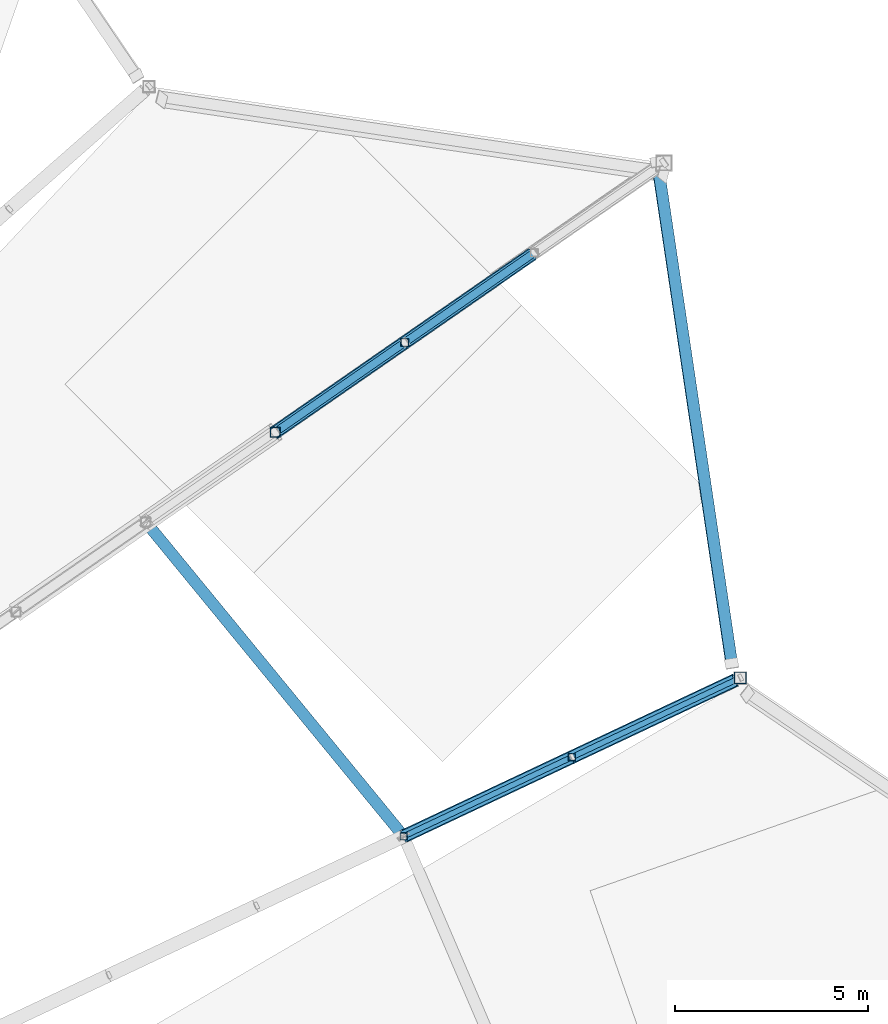
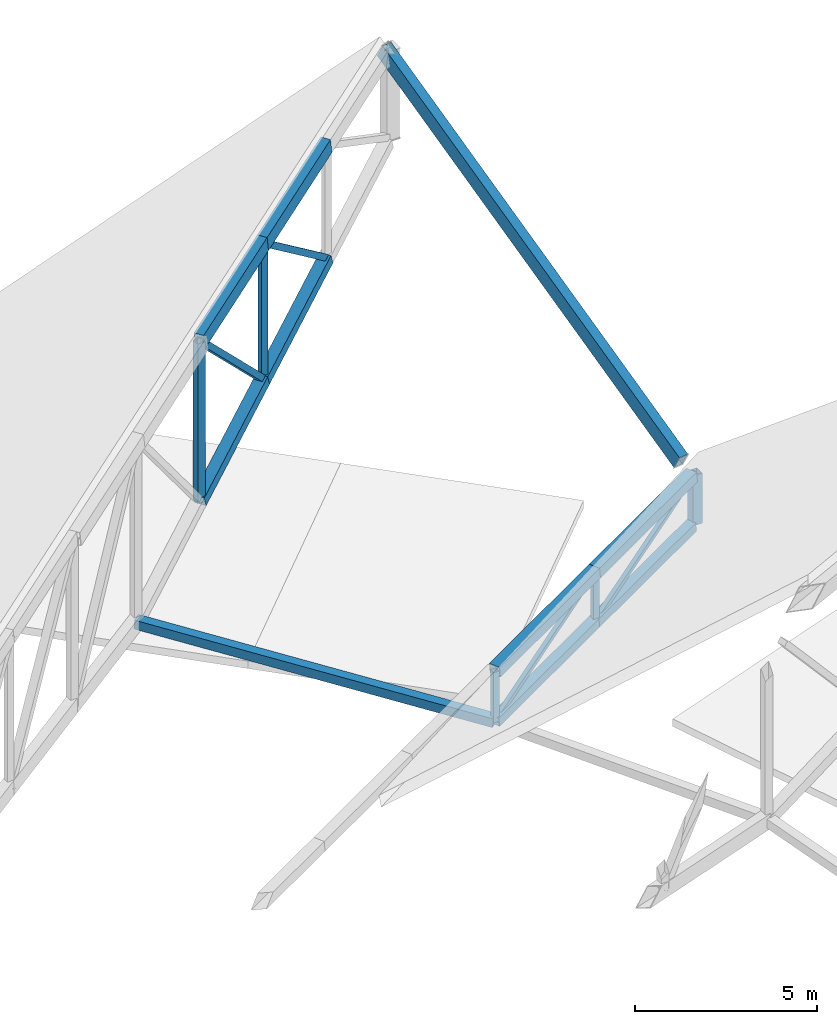
# One storey, part 102 of 188: 18 members, 1 beam.
"""IFC4 building model written with IfcOpenShell, lengths in metres."""

from ifc_helpers import new_model, si_unit, direction, frame, origin, origin_2d, place, context, subcontext, project, spatial, hollow_rectangle, extrude, material, material_profile, profile_set, type_object, element, save


model = new_model("IFC4")

# Units and contexts
model_context = context("Model", 3, precision=1e-05, world=origin(), true_north=direction((0.0, 1.0)))
body_context = subcontext(model_context, "Body", "Model", "MODEL_VIEW")
ifc_project = project(units=[si_unit("LENGTHUNIT", "METRE"), si_unit("AREAUNIT", "SQUARE_METRE"), si_unit("VOLUMEUNIT", "CUBIC_METRE"), si_unit("PLANEANGLEUNIT", "RADIAN"), si_unit("MASSUNIT", "GRAM", prefix="KILO")], contexts=[model_context])

# Site, building, storey
site_placement = place(None, origin())
site = spatial("IfcSite", under=ifc_project, at=site_placement, CompositionType="ELEMENT")
building_placement = place(site_placement, origin())
building = spatial("IfcBuilding", under=site, at=building_placement, Name="Meseta Stadium", CompositionType="ELEMENT")
storey_placement = place(building_placement, frame((0.0, 0.0, 30.0)))
storey = spatial("IfcBuildingStorey", under=building, at=storey_placement, Name="ROOF", CompositionType="ELEMENT", Elevation=30.0)

# Beam
ifc_material_1 = material(Name="Steel S355", Category="steel")
ifc_material_profile_1 = material_profile(ifc_material_1, hollow_rectangle(XDim=0.300048828125, YDim=0.5, WallThickness=0.01611328125, at=origin_2d()), Name="RHS 500x300x16")
ifc_profile_set_1 = profile_set([ifc_material_profile_1], Name="Steel S355")
beam_type = type_object("IfcBeamType", Name="RHS 500x300x16 rim ring beam", PredefinedType="BEAM", material=ifc_profile_set_1)
beam_placement = place(storey_placement, frame((86.927490234375, 76.234619140625, 3.794189453125), z_axis=(-0.131080910292, 0.882924273132, 0.450846451545), x_axis=(-0.986889033516, -0.159412006974, 0.02525564408)))
element("IfcBeam", 1, at=beam_placement, inside=storey, type_object=beam_type, Name="RIM RING BEAM 12", PredefinedType="BEAM", context=body_context, shape_type="SweptSolid", body=[
    extrude(hollow_rectangle(XDim=0.300048828125, YDim=0.5, WallThickness=0.01611328125, at=origin_2d()), origin(), (0.0, 0.0, 1.0), 14.6728515625),
])

# Members
ifc_material_2 = material(Name="Steel S355", Category="steel")
ifc_material_profile_2 = material_profile(ifc_material_2, hollow_rectangle(XDim=0.300048828125, YDim=0.5, WallThickness=0.01611328125, at=origin_2d()), Name="RHS 500x300x16")
ifc_profile_set_2 = profile_set([ifc_material_profile_2], Name="Steel S355")
member_type_1 = type_object("IfcMemberType", Name="RHS 500x300x16 top chord", PredefinedType="CHORD", material=ifc_profile_set_2)
member_1_placement = place(storey_placement, frame((75.125, 82.210205078125, 8.32421875), z_axis=(0.810009129028, 0.561279649393, 0.169853955118), x_axis=(-0.569555723759, 0.821952722201, 0.0)))
element("IfcMember", 2, at=member_1_placement, inside=storey, type_object=member_type_1, Name="ROOF TRUSS RT-12 top chord", PredefinedType="CHORD", context=body_context, shape_type="SweptSolid", body=[
    extrude(hollow_rectangle(XDim=0.300048828125, YDim=0.5, WallThickness=0.01611328125, at=origin_2d()), origin(), (0.0, 0.0, 1.0), 4.13525390625),
])
member_2_placement = place(storey_placement, frame((78.474609375, 84.53125, 9.026611328125), z_axis=(0.80998228756, 0.561320086743, 0.169848326626), x_axis=(-0.569596196645, 0.821924675848, 0.0)))
element("IfcMember", 3, at=member_2_placement, inside=storey, type_object=member_type_1, Name="ROOF TRUSS RT-12 top chord", PredefinedType="CHORD", context=body_context, shape_type="SweptSolid", body=[
    extrude(hollow_rectangle(XDim=0.300048828125, YDim=0.5, WallThickness=0.01611328125, at=origin_2d()), origin(), (0.0, 0.0, 1.0), 4.135498046875),
])
ifc_material_3 = material(Name="Steel S355", Category="steel")
ifc_material_profile_3 = material_profile(ifc_material_3, hollow_rectangle(XDim=0.139892578125, YDim=0.139892578125, WallThickness=0.0048828125, at=origin_2d()), Name="SHS 140x140x5")
ifc_profile_set_3 = profile_set([ifc_material_profile_3], Name="Steel S355")
member_type_2 = type_object("IfcMemberType", Name="SHS 140x140x5 diagonal", PredefinedType="BRACE", material=ifc_profile_set_3)
for number, where, z_axis, x_axis, name in (
    (4, (78.4453125, 71.756103515625, 0.785400390625), (0.820460556715, 0.386461818122, 0.421297683366), (-0.426124454382, 0.904664550747, 0.0), "ROOF TRUSS RT-11 diagonal"),
    (5, (82.798095703125, 73.806396484375, 1.3408203125), (0.820460556715, 0.386461818122, 0.421297683366), (-0.426124454382, 0.904664550747, 0.0), "ROOF TRUSS RT-11 diagonal"),
):
    element("IfcMember", number, at=place(storey_placement, frame(where, z_axis=z_axis, x_axis=x_axis)), inside=storey, type_object=member_type_2, Name=name, PredefinedType="BRACE", context=body_context, shape_type="SweptSolid", body=[
        extrude(hollow_rectangle(XDim=0.139892578125, YDim=0.139892578125, WallThickness=0.0048828125, at=origin_2d()), origin(), (0.0, 0.0, 1.0), 5.30517578125),
    ])
ifc_material_4 = material(Name="Steel S355", Category="steel")
ifc_material_profile_4 = material_profile(ifc_material_4, hollow_rectangle(XDim=0.179931640625, YDim=0.179931640625, WallThickness=0.00634765625, at=origin_2d()), Name="SHS 180x180x6.3")
ifc_profile_set_4 = profile_set([ifc_material_profile_4], Name="Steel S355")
member_type_3 = type_object("IfcMemberType", Name="SHS 180x180x6.3 post", PredefinedType="POST", material=ifc_profile_set_4)
for number, where, z_axis, x_axis, name in (
    (6, (78.4453125, 71.756103515625, 0.785400390625), (0.0, 0.0, 1.0), (1.0, 0.0, 0.0), "ROOF TRUSS RT-11 post"),
    (7, (82.798095703125, 73.806396484375, 1.3408203125), (0.0, 0.0, 1.0), (1.0, 0.0, 0.0), "ROOF TRUSS RT-11 post"),
):
    element("IfcMember", number, at=place(storey_placement, frame(where, z_axis=z_axis, x_axis=x_axis)), inside=storey, type_object=member_type_3, Name=name, PredefinedType="POST", context=body_context, shape_type="SweptSolid", body=[
        extrude(hollow_rectangle(XDim=0.179931640625, YDim=0.179931640625, WallThickness=0.00634765625, at=origin_2d()), origin(), (0.0, 0.0, 1.0), 1.6796875),
    ])
ifc_material_5 = material(Name="Steel S355", Category="steel")
ifc_material_profile_5 = material_profile(ifc_material_5, hollow_rectangle(XDim=0.199951171875, YDim=0.199951171875, WallThickness=0.008056640625, at=origin_2d()), Name="SHS 200x200x8")
ifc_profile_set_5 = profile_set([ifc_material_profile_5], Name="Steel S355")
member_type_4 = type_object("IfcMemberType", Name="SHS 200x200x8 diagonal", PredefinedType="BRACE", material=ifc_profile_set_5)
member_3_placement = place(storey_placement, frame((75.125, 82.210205078125, 8.32421875), z_axis=(0.596813618518, 0.413550078079, -0.687597147807), x_axis=(-0.569555723759, 0.821952722201, 0.0)))
element("IfcMember", 8, at=member_3_placement, inside=storey, type_object=member_type_4, Name="ROOF TRUSS RT-12 diagonal", PredefinedType="BRACE", context=body_context, shape_type="SweptSolid", body=[
    extrude(hollow_rectangle(XDim=0.199951171875, YDim=0.199951171875, WallThickness=0.008056640625, at=origin_2d()), origin(), (0.0, 0.0, 1.0), 5.612548828125),
])
member_4_placement = place(storey_placement, frame((78.474609375, 84.53125, 9.026611328125), z_axis=(0.655846017792, 0.454503202417, -0.602737787051), x_axis=(-0.569596196645, 0.821924675848, 0.0)))
element("IfcMember", 9, at=member_4_placement, inside=storey, type_object=member_type_4, Name="ROOF TRUSS RT-12 diagonal", PredefinedType="BRACE", context=body_context, shape_type="SweptSolid", body=[
    extrude(hollow_rectangle(XDim=0.199951171875, YDim=0.199951171875, WallThickness=0.008056640625, at=origin_2d()), origin(), (0.0, 0.0, 1.0), 5.107421875),
])
ifc_material_6 = material(Name="Steel S355", Category="steel")
ifc_material_profile_6 = material_profile(ifc_material_6, hollow_rectangle(XDim=0.199951171875, YDim=0.199951171875, WallThickness=0.008056640625, at=origin_2d()), Name="SHS 200x200x8")
ifc_profile_set_6 = profile_set([ifc_material_profile_6], Name="Steel S355")
member_type_5 = type_object("IfcMemberType", Name="SHS 200x200x8 post", PredefinedType="POST", material=ifc_profile_set_6)
member_5_placement = place(storey_placement, frame((78.474609375, 84.53125, 4.465087890625), z_axis=(0.0, 0.0, 1.0), x_axis=(1.0, 0.0, 0.0)))
element("IfcMember", 10, at=member_5_placement, inside=storey, type_object=member_type_5, Name="ROOF TRUSS RT-12 post", PredefinedType="POST", context=body_context, shape_type="SweptSolid", body=[
    extrude(hollow_rectangle(XDim=0.199951171875, YDim=0.199951171875, WallThickness=0.008056640625, at=origin_2d()), origin(), (0.0, 0.0, 1.0), 4.5615234375),
])
ifc_material_7 = material(Name="Steel S355", Category="steel")
ifc_material_profile_7 = material_profile(ifc_material_7, hollow_rectangle(XDim=0.25, YDim=0.25, WallThickness=0.010009765625, at=origin_2d()), Name="SHS 250x250x10")
ifc_profile_set_7 = profile_set([ifc_material_profile_7], Name="Steel S355")
member_type_6 = type_object("IfcMemberType", Name="SHS 250x250x10 post", PredefinedType="POST", material=ifc_profile_set_7)
member_6_placement = place(storey_placement, frame((75.125, 82.210205078125, 2.98193359375), z_axis=(0.0, 0.0, 1.0), x_axis=(1.0, 0.0, 0.0)))
element("IfcMember", 11, at=member_6_placement, inside=storey, type_object=member_type_6, Name="ROOF TRUSS RT-12 post", PredefinedType="POST", context=body_context, shape_type="SweptSolid", body=[
    extrude(hollow_rectangle(XDim=0.25, YDim=0.25, WallThickness=0.010009765625, at=origin_2d()), origin(), (0.0, 0.0, 1.0), 5.34228515625),
])
ifc_material_8 = material(Name="Steel S355", Category="steel")
ifc_material_profile_8 = material_profile(ifc_material_8, hollow_rectangle(XDim=0.300048828125, YDim=0.300048828125, WallThickness=0.010009765625, at=origin_2d()), Name="SHS 300x300x10")
ifc_profile_set_8 = profile_set([ifc_material_profile_8], Name="Steel S355")
member_type_7 = type_object("IfcMemberType", Name="SHS 300x300x10 bottom chord", PredefinedType="CHORD", material=ifc_profile_set_8)
member_7_placement = place(storey_placement, frame((78.4453125, 71.756103515625, 0.785400390625), z_axis=(0.898696569588, 0.423313354165, 0.114674670246), x_axis=(-0.426124454382, 0.904664550747, 0.0)))
element("IfcMember", 12, at=member_7_placement, inside=storey, type_object=member_type_7, Name="ROOF TRUSS RT-11 bottom chord", PredefinedType="CHORD", context=body_context, shape_type="SweptSolid", body=[
    extrude(hollow_rectangle(XDim=0.300048828125, YDim=0.300048828125, WallThickness=0.010009765625, at=origin_2d()), origin(), (0.0, 0.0, 1.0), 4.843505859375),
])
member_8_placement = place(storey_placement, frame((82.798095703125, 73.806396484375, 1.3408203125), z_axis=(0.89869405997, 0.423312627194, 0.114697019288), x_axis=(-0.426124829348, 0.904664374126, 0.0)))
element("IfcMember", 13, at=member_8_placement, inside=storey, type_object=member_type_7, Name="ROOF TRUSS RT-11 bottom chord", PredefinedType="CHORD", context=body_context, shape_type="SweptSolid", body=[
    extrude(hollow_rectangle(XDim=0.300048828125, YDim=0.300048828125, WallThickness=0.010009765625, at=origin_2d()), origin(), (0.0, 0.0, 1.0), 4.693603515625),
])
ifc_material_9 = material(Name="Steel S355", Category="steel")
ifc_material_profile_9 = material_profile(ifc_material_9, hollow_rectangle(XDim=0.300048828125, YDim=0.300048828125, WallThickness=0.010009765625, at=origin_2d()), Name="SHS 300x300x10")
ifc_profile_set_9 = profile_set([ifc_material_profile_9], Name="Steel S355")
member_type_8 = type_object("IfcMemberType", Name="SHS 300x300x10 pivot strut", PredefinedType="STRUT", material=ifc_profile_set_9)
member_9_placement = place(storey_placement, frame((78.4453125, 71.756103515625, 0.785400390625), z_axis=(-0.63268379435, 0.771448117034, 0.067668449747), x_axis=(-0.773220443829, -0.634137323649, 0.0)))
element("IfcMember", 14, at=member_9_placement, inside=storey, type_object=member_type_8, Name="ROOF PIVOT STRUT RT-11/12", PredefinedType="STRUT", context=body_context, shape_type="SweptSolid", body=[
    extrude(hollow_rectangle(XDim=0.300048828125, YDim=0.300048828125, WallThickness=0.010009765625, at=origin_2d()), origin(), (0.0, 0.0, 1.0), 10.542236328125),
])
ifc_material_10 = material(Name="Steel S355", Category="steel")
ifc_material_profile_10 = material_profile(ifc_material_10, hollow_rectangle(XDim=0.300048828125, YDim=0.300048828125, WallThickness=0.010009765625, at=origin_2d()), Name="SHS 300x300x10")
ifc_profile_set_10 = profile_set([ifc_material_profile_10], Name="Steel S355")
member_type_9 = type_object("IfcMemberType", Name="SHS 300x300x10 rim post", PredefinedType="POST", material=ifc_profile_set_10)
member_10_placement = place(storey_placement, frame((87.15087890625, 75.856689453125, 1.896240234375), z_axis=(0.0, 0.0, 1.0), x_axis=(1.0, 0.0, 0.0)))
element("IfcMember", 15, at=member_10_placement, inside=storey, type_object=member_type_9, Name="ROOF TRUSS RT-11 post", PredefinedType="POST", context=body_context, shape_type="SweptSolid", body=[
    extrude(hollow_rectangle(XDim=0.300048828125, YDim=0.300048828125, WallThickness=0.010009765625, at=origin_2d()), origin(), (0.0, 0.0, 1.0), 1.6796875),
])
ifc_material_11 = material(Name="Steel S355", Category="steel")
ifc_material_profile_11 = material_profile(ifc_material_11, hollow_rectangle(XDim=0.35009765625, YDim=0.35009765625, WallThickness=0.010009765625, at=origin_2d()), Name="SHS 350x350x10")
ifc_profile_set_11 = profile_set([ifc_material_profile_11], Name="Steel S355")
member_type_10 = type_object("IfcMemberType", Name="SHS 350x350x10 bottom chord", PredefinedType="CHORD", material=ifc_profile_set_11)
member_11_placement = place(storey_placement, frame((75.125, 82.210205078125, 2.98193359375), z_axis=(0.772388495248, 0.535211182531, 0.342001465644), x_axis=(-0.569555723759, 0.821952722201, 0.0)))
element("IfcMember", 16, at=member_11_placement, inside=storey, type_object=member_type_10, Name="ROOF TRUSS RT-12 bottom chord", PredefinedType="CHORD", context=body_context, shape_type="SweptSolid", body=[
    extrude(hollow_rectangle(XDim=0.35009765625, YDim=0.35009765625, WallThickness=0.010009765625, at=origin_2d()), origin(), (0.0, 0.0, 1.0), 4.336669921875),
])
member_12_placement = place(storey_placement, frame((78.474609375, 84.53125, 4.465087890625), z_axis=(0.772365222596, 0.535251351053, 0.34199116088), x_axis=(-0.569596196645, 0.821924675848, 0.0)))
element("IfcMember", 17, at=member_12_placement, inside=storey, type_object=member_type_10, Name="ROOF TRUSS RT-12 bottom chord", PredefinedType="CHORD", context=body_context, shape_type="SweptSolid", body=[
    extrude(hollow_rectangle(XDim=0.35009765625, YDim=0.35009765625, WallThickness=0.010009765625, at=origin_2d()), origin(), (0.0, 0.0, 1.0), 4.3369140625),
])
ifc_material_12 = material(Name="Steel S355", Category="steel")
ifc_material_profile_12 = material_profile(ifc_material_12, hollow_rectangle(XDim=0.35009765625, YDim=0.35009765625, WallThickness=0.010009765625, at=origin_2d()), Name="SHS 350x350x10")
ifc_profile_set_12 = profile_set([ifc_material_profile_12], Name="Steel S355")
member_type_11 = type_object("IfcMemberType", Name="SHS 350x350x10 top chord", PredefinedType="CHORD", material=ifc_profile_set_12)
member_13_placement = place(storey_placement, frame((78.4453125, 71.756103515625, 2.465087890625), z_axis=(0.898696569588, 0.423313354165, 0.114674670246), x_axis=(-0.426124454382, 0.904664550747, 0.0)))
element("IfcMember", 18, at=member_13_placement, inside=storey, type_object=member_type_11, Name="ROOF TRUSS RT-11 top chord", PredefinedType="CHORD", context=body_context, shape_type="SweptSolid", body=[
    extrude(hollow_rectangle(XDim=0.35009765625, YDim=0.35009765625, WallThickness=0.010009765625, at=origin_2d()), origin(), (0.0, 0.0, 1.0), 4.843505859375),
])
member_14_placement = place(storey_placement, frame((82.798095703125, 73.806396484375, 3.0205078125), z_axis=(0.89869405997, 0.423312627194, 0.114697019288), x_axis=(-0.426124829348, 0.904664374126, 0.0)))
element("IfcMember", 19, at=member_14_placement, inside=storey, type_object=member_type_11, Name="ROOF TRUSS RT-11 top chord", PredefinedType="CHORD", context=body_context, shape_type="SweptSolid", body=[
    extrude(hollow_rectangle(XDim=0.35009765625, YDim=0.35009765625, WallThickness=0.010009765625, at=origin_2d()), origin(), (0.0, 0.0, 1.0), 4.693603515625),
])

save(model, "model.ifc")
